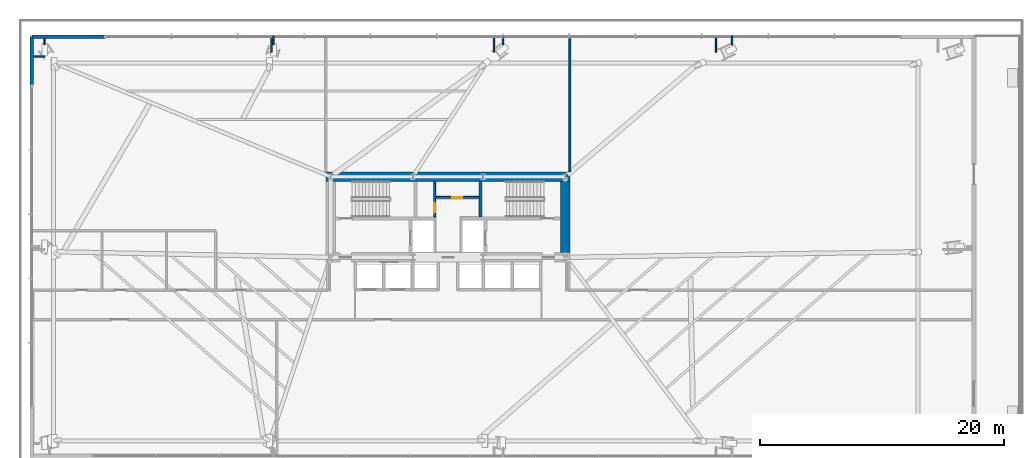
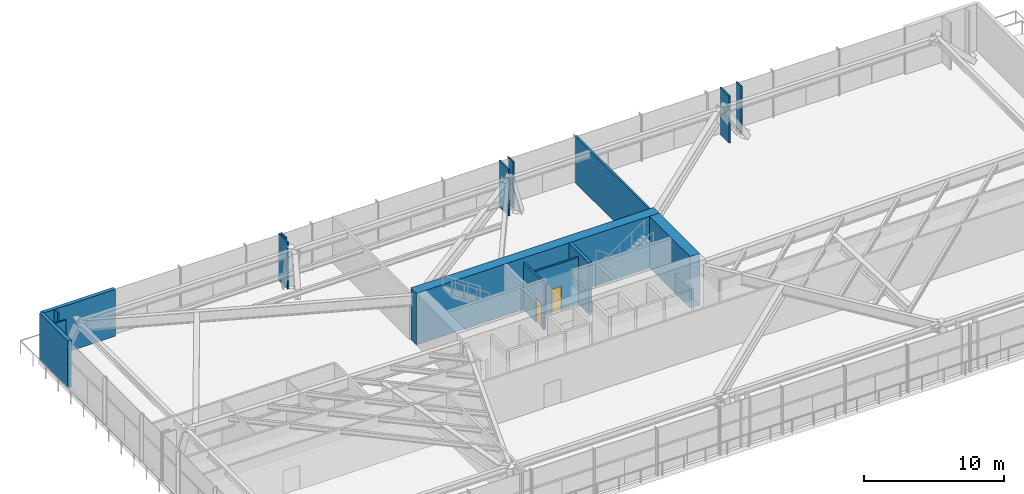
# One storey, part 27 of 36: 16 walls, 2 doors, 2 openings.
"""IFC4 building model written with IfcOpenShell, lengths in metres."""

from ifc_helpers import new_model, si_unit, direction, frame, frame_2d, origin, place, context, subcontext, project, spatial, rectangle, extrude, source, transform, mapped, material, layer, layer_set, type_object, type_shapes, element, fill, save


model = new_model("IFC4")

# Units and contexts
model_context = context("Model", 3, precision=1e-05, world=origin(), true_north=direction((0.0, 1.0)))
body_context = subcontext(model_context, "Body", "Model", "MODEL_VIEW")
ifc_project = project(units=[si_unit("LENGTHUNIT", "METRE"), si_unit("AREAUNIT", "SQUARE_METRE"), si_unit("VOLUMEUNIT", "CUBIC_METRE"), si_unit("PLANEANGLEUNIT", "RADIAN"), si_unit("MASSUNIT", "GRAM", prefix="KILO")], contexts=[model_context])

# Site, building, storey
site_placement = place(None, origin())
site = spatial("IfcSite", under=ifc_project, at=site_placement, CompositionType="ELEMENT")
building_placement = place(site_placement, origin())
building = spatial("IfcBuilding", under=site, at=building_placement, Name="Astriad Promenade Condominiums", CompositionType="ELEMENT")
storey_placement = place(building_placement, frame((0.0, 0.0, 5.0)))
storey = spatial("IfcBuildingStorey", under=building, at=storey_placement, Name="L01", CompositionType="ELEMENT", Elevation=5.0)

# Walls
ifc_material_1 = material(Name="Concrete C80/95", Category="concrete")
ifc_layer_1 = layer(ifc_material_1, 0.800048828125)
ifc_layer_set_1 = layer_set([ifc_layer_1], Name="Concrete C80/95")
wall_type_1 = type_object("IfcWallType", Name="CW-SHEAR-800", PredefinedType="SHEAR", material=ifc_layer_set_1)
wall_1_placement = place(storey_placement, frame((26.0, 24.0, 0.0), z_axis=(0.0, 0.0, 1.0), x_axis=(1.0, 0.0, 0.0)))
element("IfcWall", 1, at=wall_1_placement, inside=storey, type_object=wall_type_1, Name="CW-CORE-N-L01", PredefinedType="SHEAR", context=body_context, shape_type="SweptSolid", body=[
    extrude(rectangle(XDim=20.0, YDim=0.800048828125, at=frame_2d((10.0, 0.0))), origin(), (0.0, 0.0, 1.0), 4.5),
])
wall_2_placement = place(storey_placement, frame((45.60009765625, 17.802001953125, 0.0), z_axis=(0.0, 0.0, 1.0), x_axis=(0.0, 1.0, 0.0)))
element("IfcWall", 2, at=wall_2_placement, inside=storey, type_object=wall_type_1, Name="CW-CORE-E-L01", PredefinedType="SHEAR", context=body_context, shape_type="SweptSolid", body=[
    extrude(rectangle(XDim=5.7958984375, YDim=0.800048828125, at=frame_2d((2.89794921875, 0.0))), origin(), (0.0, 0.0, 1.0), 4.5),
])
ifc_material_2 = material(Name="Concrete C50/60", Category="concrete")
ifc_layer_2 = layer(ifc_material_2, 0.25)
ifc_layer_set_2 = layer_set([ifc_layer_2], Name="Concrete C50/60")
wall_type_2 = type_object("IfcWallType", Name="WALL-CORE-INT-250", PredefinedType="SOLIDWALL", material=ifc_layer_set_2)
wall_3_placement = place(storey_placement, frame((38.675048828125, 20.701904296875, 0.0), z_axis=(0.0, 0.0, 1.0), x_axis=(0.0, 1.0, 0.0)))
element("IfcWall", 3, at=wall_3_placement, inside=storey, type_object=wall_type_2, Name="CW-ST2-W-L01", PredefinedType="SOLIDWALL", context=body_context, shape_type="SweptSolid", body=[
    extrude(rectangle(XDim=2.89599609375, YDim=0.25, at=frame_2d((1.447998046875, 0.0))), origin(), (0.0, 0.0, 1.0), 4.5),
])

# Wall, opening, door
ifc_material_3 = material(Name="Fire-Rated Gypsum Partition")
ifc_layer_3 = layer(ifc_material_3, 0.159912109375)
ifc_layer_set_3 = layer_set([ifc_layer_3], Name="Fire-Rated Gypsum Partition")
wall_type_3 = type_object("IfcWallType", Name="WALL-CORR-160", PredefinedType="PARTITIONING", material=ifc_layer_set_3)
wall_4_placement = place(storey_placement, frame((34.89990234375, 20.701904296875, 0.0), z_axis=(0.0, 0.0, 1.0), x_axis=(0.0, 1.0, 0.0)))
wall_4 = element("IfcWall", 4, at=wall_4_placement, inside=storey, type_object=wall_type_3, Name="CW-AUX-W-L01", PredefinedType="PARTITIONING", context=body_context, shape_type="SweptSolid", body=[
    extrude(rectangle(XDim=2.89599609375, YDim=0.159912109375, at=frame_2d((1.447998046875, 0.0))), origin(), (0.0, 0.0, 1.0), 4.080078125),
])
opening_1_placement = place(wall_4_placement, frame((0.347900390625, 0.0, 0.0)))
opening_1 = element("IfcOpeningElement", 5, at=opening_1_placement, cuts=wall_4, Name="Opening FD60-SV-080", PredefinedType="OPENING", context=body_context, shape_type="SweptSolid", body=[
    extrude(rectangle(XDim=0.800048828125, YDim=2.050048828125, at=frame_2d((0.39990234375, 1.02490234375))), frame((0.0, 0.08984375, 0.0), z_axis=(0.0, -1.0, 0.0), x_axis=(1.0, 0.0, 0.0)), (0.0, 0.0, 1.0), 0.179931640625),
])
ifc_material_4 = material(Name="Fire-Rated Riser Closet Door")
door_type = type_object("IfcDoorType", Name="FD60-SV-080", OperationType="NOTDEFINED", PredefinedType="DOOR", material=ifc_material_4)
shared_shape = source(origin(), body_context, "Body", "SweptSolid", [
    extrude(rectangle(XDim=0.800048828125, YDim=2.050048828125, at=frame_2d((0.39990234375, 1.02490234375))), frame((0.0, 0.02490234375, 0.0), z_axis=(0.0, -1.0, 0.0), x_axis=(1.0, 0.0, 0.0)), (0.0, 0.0, 1.0), 0.050048828125),
])
type_shapes(door_type, [shared_shape])
door_1_placement = place(opening_1_placement, origin())
door_1 = element("IfcDoor", 6, at=door_1_placement, inside=storey, type_object=door_type, Name="D-AUX1-L01", OperationType="SINGLE_SWING_LEFT", OverallHeight=2.050048828125, OverallWidth=0.800048828125, PredefinedType="DOOR", context=body_context, shape_type="MappedRepresentation", body=[
    mapped(shared_shape, transform((0.0, 0.0, 0.0), scale=1.0)),
])
fill(opening_1, door_1)

wall_5_placement = place(storey_placement, frame((34.98193359375, 22.300048828125, 0.0), z_axis=(0.0, 0.0, 1.0), x_axis=(1.0, 0.0, 0.0)))
wall_5 = element("IfcWall", 7, at=wall_5_placement, inside=storey, type_object=wall_type_3, Name="CW-AUX-N-L01", PredefinedType="PARTITIONING", context=body_context, shape_type="SweptSolid", body=[
    extrude(rectangle(XDim=3.566162109375, YDim=0.159912109375, at=frame_2d((1.783203125, 0.0))), origin(), (0.0, 0.0, 1.0), 4.080078125),
])
opening_2_placement = place(wall_5_placement, frame((1.3779296875, 0.0, 0.0)))
opening_2 = element("IfcOpeningElement", 8, at=opening_2_placement, cuts=wall_5, Name="Opening FD60-SV-080", PredefinedType="OPENING", context=body_context, shape_type="SweptSolid", body=[
    extrude(rectangle(XDim=0.800048828125, YDim=2.050048828125, at=frame_2d((0.39990234375, 1.02490234375))), frame((0.0, 0.08984375, 0.0), z_axis=(0.0, -1.0, 0.0), x_axis=(1.0, 0.0, 0.0)), (0.0, 0.0, 1.0), 0.179931640625),
])
door_2_placement = place(opening_2_placement, origin())
door_2 = element("IfcDoor", 9, at=door_2_placement, inside=storey, type_object=door_type, Name="D-AUX2-L01", OperationType="SINGLE_SWING_RIGHT", OverallHeight=2.050048828125, OverallWidth=0.800048828125, PredefinedType="DOOR", context=body_context, shape_type="MappedRepresentation", body=[
    mapped(shared_shape, transform((0.0, 0.0, 0.0), scale=1.0)),
])
fill(opening_2, door_2)

# Walls
wall_6_placement = place(storey_placement, frame((45.97998046875, 24.419921875, 0.0), z_axis=(0.0, 0.0, 1.0), x_axis=(0.0, 1.0, 0.0)))
element("IfcWall", 10, at=wall_6_placement, inside=storey, type_object=wall_type_3, Name="PT-L01-ESE", PredefinedType="PARTITIONING", context=body_context, shape_type="SweptSolid", body=[
    extrude(rectangle(XDim=11.030029296875, YDim=0.159912109375, at=frame_2d((5.51513671875, 0.0))), origin(), (0.0, 0.0, 1.0), 4.080078125),
])
ifc_material_5 = material(Name="Precast concrete C50/60", Category="concrete")
ifc_layer_4 = layer(ifc_material_5, 0.300048828125)
ifc_layer_set_4 = layer_set([ifc_layer_4], Name="Precast concrete C50/60")
wall_type_4 = type_object("IfcWallType", Name="WALL-EXT-POD-300", PredefinedType="STANDARD", material=ifc_layer_set_4)
wall_7_placement = place(storey_placement, frame((1.949951171875, 31.449951171875, 0.0), z_axis=(0.0, 0.0, 1.0), x_axis=(0.0, 1.0, 0.0)))
element("IfcWall", 11, at=wall_7_placement, inside=storey, type_object=wall_type_4, Name="W-EXT-L01-W2", PredefinedType="STANDARD", context=body_context, shape_type="SweptSolid", body=[
    extrude(rectangle(XDim=4.0, YDim=0.300048828125, at=frame_2d((2.0, 0.0))), origin(), (0.0, 0.0, 1.0), 4.080078125),
])
wall_8_placement = place(storey_placement, frame((1.949951171875, 35.449951171875, 0.0), z_axis=(0.0, 0.0, 1.0), x_axis=(1.0, 0.0, 0.0)))
element("IfcWall", 12, at=wall_8_placement, inside=storey, type_object=wall_type_4, Name="W-EXT-L01-N1", PredefinedType="STANDARD", context=body_context, shape_type="SweptSolid", body=[
    extrude(rectangle(XDim=6.0, YDim=0.300048828125, at=frame_2d((3.0, 0.0))), origin(), (0.0, 0.0, 1.0), 4.080078125),
])
ifc_material_6 = material(Name="Acoustic Metal-Stud Gypsum Partition")
ifc_layer_5 = layer(ifc_material_6, 0.1201171875)
ifc_layer_set_5 = layer_set([ifc_layer_5], Name="Acoustic Metal-Stud Gypsum Partition")
wall_type_5 = type_object("IfcWallType", Name="WALL-PART-120", PredefinedType="PARTITIONING", material=ifc_layer_set_5)
wall_9_placement = place(storey_placement, frame((3.0, 33.820068359375, 0.0), z_axis=(0.0, 0.0, 1.0), x_axis=(-1.0, 0.0, 0.0)))
element("IfcWall", 13, at=wall_9_placement, inside=storey, type_object=wall_type_5, Name="PT-PIL-L01-PC06-13", PredefinedType="PARTITIONING", context=body_context, shape_type="SweptSolid", body=[
    extrude(rectangle(XDim=0.89794921875, YDim=0.1201171875, at=frame_2d((0.448974609375, 0.0))), origin(), (0.0, 0.0, 1.0), 4.080078125),
])
for number, where, z_axis, x_axis, name in (
    (14, (21.56494140625, 34.199951171875, 0.0), (0.0, 0.0, 1.0), (0.0, 1.0, 0.0), "PT-PIL-L01-PC07-14"),
    (15, (39.75, 34.199951171875, 0.0), (0.0, 0.0, 1.0), (0.0, 1.0, 0.0), "PT-PIL-L01-PC08-15"),
    (16, (57.93505859375, 34.199951171875, 0.0), (0.0, 0.0, 1.0), (0.0, 1.0, 0.0), "PT-PIL-L01-PC09-16"),
):
    element("IfcWall", number, at=place(storey_placement, frame(where, z_axis=z_axis, x_axis=x_axis)), inside=storey, type_object=wall_type_5, Name=name, PredefinedType="PARTITIONING", context=body_context, shape_type="SweptSolid", body=[
        extrude(rectangle(XDim=1.320068359375, YDim=0.1201171875, at=frame_2d((0.66015625, 0.0))), origin(), (0.0, 0.0, 1.0), 4.080078125),
    ])
wall_10_placement = place(storey_placement, frame((2.97998046875, 34.800048828125, 0.0), z_axis=(0.0, 0.0, 1.0), x_axis=(0.0, 1.0, 0.0)))
element("IfcWall", 17, at=wall_10_placement, inside=storey, type_object=wall_type_5, Name="PT-PIL-L01-PC06-25", PredefinedType="PARTITIONING", context=body_context, shape_type="SweptSolid", body=[
    extrude(rectangle(XDim=0.498046875, YDim=0.1201171875, at=frame_2d((0.2490234375, 0.0))), origin(), (0.0, 0.0, 1.0), 4.080078125),
])
for number, where, z_axis, x_axis, name in (
    (18, (21.739990234375, 34.800048828125, 0.0), (0.0, 0.0, 1.0), (0.0, 1.0, 0.0), "PT-PIL-L01-PC07-26"),
    (19, (40.5, 34.800048828125, 0.0), (0.0, 0.0, 1.0), (0.0, 1.0, 0.0), "PT-PIL-L01-PC08-27"),
    (20, (59.260009765625, 34.800048828125, 0.0), (0.0, 0.0, 1.0), (0.0, 1.0, 0.0), "PT-PIL-L01-PC09-28"),
):
    element("IfcWall", number, at=place(storey_placement, frame(where, z_axis=z_axis, x_axis=x_axis)), inside=storey, type_object=wall_type_5, Name=name, PredefinedType="PARTITIONING", context=body_context, shape_type="SweptSolid", body=[
        extrude(rectangle(XDim=0.719970703125, YDim=0.1201171875, at=frame_2d((0.35986328125, 0.0))), origin(), (0.0, 0.0, 1.0), 4.080078125),
    ])

save(model, "model.ifc")
